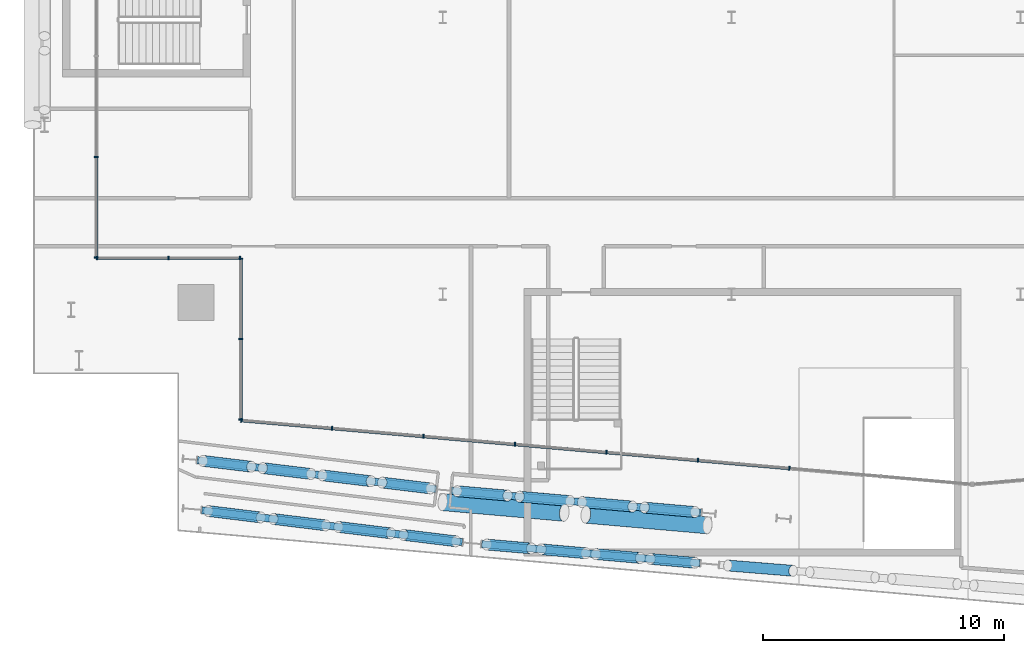
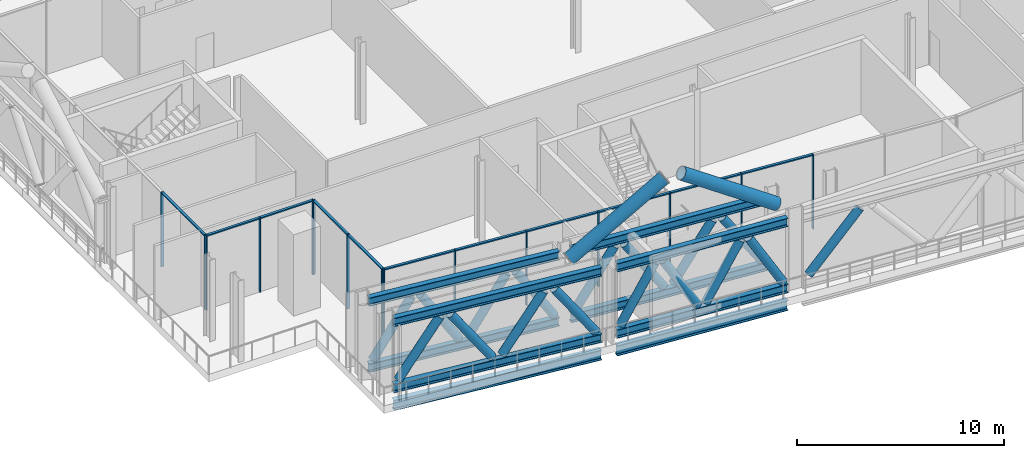
# One storey, part 5 of 42: 53 members, 2 beams, 4 elements without a shape of their own.
"""IFC4 building model written with IfcOpenShell, lengths in metres."""

from ifc_helpers import new_model, si_unit, direction, frame, origin, origin_2d, place, context, subcontext, project, spatial, rectangle, hollow_circle, i_section, extrude, material, material_profile, profile_set, type_object, element, aggregate, save


model = new_model("IFC4")

# Units and contexts
model_context = context("Model", 3, precision=1e-05, world=origin(), true_north=direction((0.0, 1.0)))
body_context = subcontext(model_context, "Body", "Model", "MODEL_VIEW")
ifc_project = project(units=[si_unit("LENGTHUNIT", "METRE"), si_unit("AREAUNIT", "SQUARE_METRE"), si_unit("VOLUMEUNIT", "CUBIC_METRE"), si_unit("PLANEANGLEUNIT", "RADIAN"), si_unit("MASSUNIT", "GRAM", prefix="KILO")], contexts=[model_context])

# Site, building, storey
site_placement = place(None, origin())
site = spatial("IfcSite", under=ifc_project, at=site_placement, CompositionType="ELEMENT")
building_placement = place(site_placement, origin())
building = spatial("IfcBuilding", under=site, at=building_placement, Name="Wharfspan Tower", CompositionType="ELEMENT")
storey_placement = place(building_placement, frame((0.0, 0.0, 147.100098)))
storey = spatial("IfcBuildingStorey", under=building, at=storey_placement, Name="L35", CompositionType="ELEMENT", Elevation=147.100098)

# Beams
ifc_material_1 = material(Name="Steel S355J2", Category="steel")
ifc_material_profile_1 = material_profile(ifc_material_1, i_section(OverallWidth=0.300049, OverallDepth=0.600098, WebThickness=0.015381, FlangeThickness=0.030029, FilletRadius=0.0271, at=origin_2d()))
ifc_profile_set_1 = profile_set([ifc_material_profile_1], Name="Steel S355J2")
beam_type = type_object("IfcBeamType", Name="Edge beam HEB 600", PredefinedType="SPANDREL", material=ifc_profile_set_1)
beam_1_placement = place(storey_placement, frame((13.990967, 2.520508, -0.75), z_axis=(0.992611, -0.121342, 0.0), x_axis=(0.121342, 0.992611, 0.0)))
element("IfcBeam", 1, at=beam_1_placement, inside=storey, type_object=beam_type, Name="Edge beam S1 L35 PS1.1 to PS1.2", PredefinedType="SPANDREL", context=body_context, shape_type="SweptSolid", body=[
    extrude(i_section(OverallWidth=0.300049, OverallDepth=0.600098, WebThickness=0.015381, FlangeThickness=0.030029, FilletRadius=0.0271, at=origin_2d()), origin(), (0.0, 0.0, 1.0), 10.903076),
])
beam_2_placement = place(storey_placement, frame((25.615234, 1.113525, -0.75), z_axis=(0.996195, -0.087151, 0.0), x_axis=(0.087151, 0.996195, 0.0)))
element("IfcBeam", 2, at=beam_2_placement, inside=storey, type_object=beam_type, Name="Edge beam S1 L35 PS1.2 to PS1.3", PredefinedType="SPANDREL", context=body_context, shape_type="SweptSolid", body=[
    extrude(i_section(OverallWidth=0.300049, OverallDepth=0.600098, WebThickness=0.015381, FlangeThickness=0.030029, FilletRadius=0.0271, at=origin_2d()), origin(), (0.0, 0.0, 1.0), 9.107178),
])

# Curtain wall, members
ifc_material_2 = material(Name="Aluminium 6063-T6", Category="aluminium")
curtain_wall_type = type_object("IfcCurtainWallType", Name="CURTAIN WALL BAND RECESS", PredefinedType="NOTDEFINED", material=ifc_material_2)
curtain_wall_1_placement = place(storey_placement, origin())
curtain_wall_1 = element("IfcCurtainWall", 3, at=curtain_wall_1_placement, inside=storey, type_object=curtain_wall_type, Name="Recess glazing R1", PredefinedType="NOTDEFINED")
ifc_material_profile_2 = material_profile(ifc_material_2, rectangle(XDim=0.159912, YDim=0.060059, at=origin_2d()))
ifc_profile_set_2 = profile_set([ifc_material_profile_2], Name="Aluminium 6063-T6")
member_type_1 = type_object("IfcMemberType", Name="MULLION BAND RECESS 60x160", PredefinedType="MULLION", material=ifc_profile_set_2)
member_1_placement = place(storey_placement, frame((15.570068, 13.0, 0.0), z_axis=(0.0, 0.0, 1.0), x_axis=(0.0, -1.0, 0.0)))
member_1 = element("IfcMember", 4, at=member_1_placement, type_object=member_type_1, Name="Recess glazing R1 mullion 1", PredefinedType="MULLION", context=body_context, shape_type="SweptSolid", body=[
    extrude(rectangle(XDim=0.159912, YDim=0.060059, at=origin_2d()), origin(), (0.0, 0.0, 1.0), 4.399902),
])
member_2_placement = place(storey_placement, frame((12.600098, 13.0, 0.0), z_axis=(0.0, 0.0, 1.0), x_axis=(0.0, -1.0, 0.0)))
member_2 = element("IfcMember", 5, at=member_2_placement, type_object=member_type_1, Name="Recess glazing R1 mullion 2", PredefinedType="MULLION", context=body_context, shape_type="SweptSolid", body=[
    extrude(rectangle(XDim=0.159912, YDim=0.060059, at=origin_2d()), origin(), (0.0, 0.0, 1.0), 4.399902),
])
member_3_placement = place(storey_placement, frame((9.629883, 13.0, 0.0), z_axis=(0.0, 0.0, 1.0), x_axis=(0.0, -1.0, 0.0)))
member_3 = element("IfcMember", 6, at=member_3_placement, type_object=member_type_1, Name="Recess glazing R1 mullion 3", PredefinedType="MULLION", context=body_context, shape_type="SweptSolid", body=[
    extrude(rectangle(XDim=0.159912, YDim=0.060059, at=origin_2d()), origin(), (0.0, 0.0, 1.0), 4.399902),
])

curtain_wall_2_placement = place(storey_placement, origin())
curtain_wall_2 = element("IfcCurtainWall", 7, at=curtain_wall_2_placement, inside=storey, type_object=curtain_wall_type, Name="Recess glazing R2", PredefinedType="NOTDEFINED")
member_4_placement = place(storey_placement, frame((9.600098, 13.030029, 0.0), z_axis=(0.0, 0.0, 1.0), x_axis=(-1.0, 0.0, 0.0)))
member_4 = element("IfcMember", 8, at=member_4_placement, type_object=member_type_1, Name="Recess glazing R2 mullion 1", PredefinedType="MULLION", context=body_context, shape_type="SweptSolid", body=[
    extrude(rectangle(XDim=0.159912, YDim=0.060059, at=origin_2d()), origin(), (0.0, 0.0, 1.0), 4.399902),
])
member_5_placement = place(storey_placement, frame((9.600098, 17.199951, 0.0), z_axis=(0.0, 0.0, 1.0), x_axis=(-1.0, 0.0, 0.0)))
member_5 = element("IfcMember", 9, at=member_5_placement, type_object=member_type_1, Name="Recess glazing R2 mullion 2", PredefinedType="MULLION", context=body_context, shape_type="SweptSolid", body=[
    extrude(rectangle(XDim=0.159912, YDim=0.060059, at=origin_2d()), origin(), (0.0, 0.0, 1.0), 4.399902),
])

curtain_wall_3_placement = place(storey_placement, origin())
curtain_wall_3 = element("IfcCurtainWall", 10, at=curtain_wall_3_placement, inside=storey, type_object=curtain_wall_type, Name="Recess glazing R7", PredefinedType="NOTDEFINED")
member_6_placement = place(storey_placement, frame((38.399902, 4.262695, 0.0), z_axis=(0.0, 0.0, 1.0), x_axis=(-0.087156, -0.996198, 0.0)))
member_6 = element("IfcMember", 11, at=member_6_placement, type_object=member_type_1, Name="Recess glazing R7 mullion 3", PredefinedType="MULLION", context=body_context, shape_type="SweptSolid", body=[
    extrude(rectangle(XDim=0.159912, YDim=0.060059, at=origin_2d()), origin(), (0.0, 0.0, 1.0), 4.399902),
])
member_7_placement = place(storey_placement, frame((34.600098, 4.595215, 0.0), z_axis=(0.0, 0.0, 1.0), x_axis=(-0.087156, -0.996198, 0.0)))
member_7 = element("IfcMember", 12, at=member_7_placement, type_object=member_type_1, Name="Recess glazing R7 mullion 4", PredefinedType="MULLION", context=body_context, shape_type="SweptSolid", body=[
    extrude(rectangle(XDim=0.159912, YDim=0.060059, at=origin_2d()), origin(), (0.0, 0.0, 1.0), 4.399902),
])
member_8_placement = place(storey_placement, frame((30.800049, 4.927734, 0.0), z_axis=(0.0, 0.0, 1.0), x_axis=(-0.087156, -0.996198, 0.0)))
member_8 = element("IfcMember", 13, at=member_8_placement, type_object=member_type_1, Name="Recess glazing R7 mullion 5", PredefinedType="MULLION", context=body_context, shape_type="SweptSolid", body=[
    extrude(rectangle(XDim=0.159912, YDim=0.060059, at=origin_2d()), origin(), (0.0, 0.0, 1.0), 4.399902),
])
member_9_placement = place(storey_placement, frame((27.0, 5.260254, 0.0), z_axis=(0.0, 0.0, 1.0), x_axis=(-0.087156, -0.996198, 0.0)))
member_9 = element("IfcMember", 14, at=member_9_placement, type_object=member_type_1, Name="Recess glazing R7 mullion 6", PredefinedType="MULLION", context=body_context, shape_type="SweptSolid", body=[
    extrude(rectangle(XDim=0.159912, YDim=0.060059, at=origin_2d()), origin(), (0.0, 0.0, 1.0), 4.399902),
])
member_10_placement = place(storey_placement, frame((23.199951, 5.592529, 0.0), z_axis=(0.0, 0.0, 1.0), x_axis=(-0.087156, -0.996198, 0.0)))
member_10 = element("IfcMember", 15, at=member_10_placement, type_object=member_type_1, Name="Recess glazing R7 mullion 7", PredefinedType="MULLION", context=body_context, shape_type="SweptSolid", body=[
    extrude(rectangle(XDim=0.159912, YDim=0.060059, at=origin_2d()), origin(), (0.0, 0.0, 1.0), 4.399902),
])
member_11_placement = place(storey_placement, frame((19.399902, 5.925049, 0.0), z_axis=(0.0, 0.0, 1.0), x_axis=(-0.087156, -0.996198, 0.0)))
member_11 = element("IfcMember", 16, at=member_11_placement, type_object=member_type_1, Name="Recess glazing R7 mullion 8", PredefinedType="MULLION", context=body_context, shape_type="SweptSolid", body=[
    extrude(rectangle(XDim=0.159912, YDim=0.060059, at=origin_2d()), origin(), (0.0, 0.0, 1.0), 4.399902),
])
member_12_placement = place(storey_placement, frame((15.629883, 6.254883, 0.0), z_axis=(0.0, 0.0, 1.0), x_axis=(-0.087156, -0.996198, 0.0)))
member_12 = element("IfcMember", 17, at=member_12_placement, type_object=member_type_1, Name="Recess glazing R7 mullion 9", PredefinedType="MULLION", context=body_context, shape_type="SweptSolid", body=[
    extrude(rectangle(XDim=0.159912, YDim=0.060059, at=origin_2d()), origin(), (0.0, 0.0, 1.0), 4.399902),
])

curtain_wall_4_placement = place(storey_placement, origin())
curtain_wall_4 = element("IfcCurtainWall", 18, at=curtain_wall_4_placement, inside=storey, type_object=curtain_wall_type, Name="Recess glazing R8", PredefinedType="NOTDEFINED")
member_13_placement = place(storey_placement, frame((15.600098, 6.287598, 0.0), z_axis=(0.0, 0.0, 1.0), x_axis=(-1.0, 0.0, 0.0)))
member_13 = element("IfcMember", 19, at=member_13_placement, type_object=member_type_1, Name="Recess glazing R8 mullion 1", PredefinedType="MULLION", context=body_context, shape_type="SweptSolid", body=[
    extrude(rectangle(XDim=0.159912, YDim=0.060059, at=origin_2d()), origin(), (0.0, 0.0, 1.0), 4.399902),
])
member_14_placement = place(storey_placement, frame((15.600098, 9.628662, 0.0), z_axis=(0.0, 0.0, 1.0), x_axis=(-1.0, 0.0, 0.0)))
member_14 = element("IfcMember", 20, at=member_14_placement, type_object=member_type_1, Name="Recess glazing R8 mullion 2", PredefinedType="MULLION", context=body_context, shape_type="SweptSolid", body=[
    extrude(rectangle(XDim=0.159912, YDim=0.060059, at=origin_2d()), origin(), (0.0, 0.0, 1.0), 4.399902),
])
member_15_placement = place(storey_placement, frame((15.600098, 12.969971, 0.0), z_axis=(0.0, 0.0, 1.0), x_axis=(-1.0, 0.0, 0.0)))
member_15 = element("IfcMember", 21, at=member_15_placement, type_object=member_type_1, Name="Recess glazing R8 mullion 3", PredefinedType="MULLION", context=body_context, shape_type="SweptSolid", body=[
    extrude(rectangle(XDim=0.159912, YDim=0.060059, at=origin_2d()), origin(), (0.0, 0.0, 1.0), 4.399902),
])

# Members
ifc_material_3 = material(Name="Steel S460NH", Category="steel")
ifc_material_profile_3 = material_profile(ifc_material_3, hollow_circle(Radius=0.355469, WallThickness=0.035889, at=origin_2d()))
ifc_profile_set_3 = profile_set([ifc_material_profile_3], Name="Steel S460NH")
member_type_2 = type_object("IfcMemberType", Name="Mega brace CHS 711x36", PredefinedType="BRACE", material=ifc_profile_set_3)
for number, where, z_axis, x_axis, name in (
    (22, (23.995117, 2.85791, 4.099854), (0.834469, -0.073006, 0.546197), (0.087156, 0.996198, -1e-06), "Mega brace S1 L36 part 1"),
    (23, (34.995117, 1.895508, 4.099854), (-0.834469, 0.073006, 0.546197), (-0.087156, -0.996198, -1e-06), "Mega brace S1 L36 part 3"),
):
    element("IfcMember", number, at=place(storey_placement, frame(where, z_axis=z_axis, x_axis=x_axis)), inside=storey, type_object=member_type_2, Name=name, PredefinedType="BRACE", context=body_context, shape_type="SweptSolid", body=[
        extrude(hollow_circle(Radius=0.355469, WallThickness=0.035889, at=origin_2d()), origin(), (0.0, 0.0, 1.0), 6.049561),
    ])

# Member
ifc_material_profile_4 = material_profile(ifc_material_2, rectangle(XDim=0.139893, YDim=0.070068, at=origin_2d()))
ifc_profile_set_4 = profile_set([ifc_material_profile_4], Name="Aluminium 6063-T6")
member_type_3 = type_object("IfcMemberType", Name="TRANSOM BAND RECESS 70x140", PredefinedType="USERDEFINED", material=ifc_profile_set_4)
member_16_placement = place(storey_placement, frame((15.540039, 13.0, 4.36499), z_axis=(-1.0, 0.0, 0.0), x_axis=(0.0, -1.0, 0.0)))
member_16 = element("IfcMember", 24, at=member_16_placement, type_object=member_type_3, Name="Recess glazing R1 transom 1", ObjectType="TRANSOM", PredefinedType="USERDEFINED", context=body_context, shape_type="SweptSolid", body=[
    extrude(rectangle(XDim=0.139893, YDim=0.070068, at=origin_2d()), origin(), (0.0, 0.0, 1.0), 2.910156),
])

member_17_placement = place(storey_placement, frame((12.570068, 13.0, 4.36499), z_axis=(-1.0, 0.0, 0.0), x_axis=(0.0, -1.0, 0.0)))
member_17 = element("IfcMember", 25, at=member_17_placement, type_object=member_type_3, Name="Recess glazing R1 transom 2", ObjectType="TRANSOM", PredefinedType="USERDEFINED", context=body_context, shape_type="SweptSolid", body=[
    extrude(rectangle(XDim=0.139893, YDim=0.070068, at=origin_2d()), origin(), (0.0, 0.0, 1.0), 2.910156),
])

aggregate(curtain_wall_1, [member_1, member_2, member_3, member_16, member_17])

member_18_placement = place(storey_placement, frame((9.600098, 13.060059, 4.36499), z_axis=(0.0, 1.0, 0.0), x_axis=(-1.0, 0.0, 0.0)))
member_18 = element("IfcMember", 26, at=member_18_placement, type_object=member_type_3, Name="Recess glazing R2 transom 1", ObjectType="TRANSOM", PredefinedType="USERDEFINED", context=body_context, shape_type="SweptSolid", body=[
    extrude(rectangle(XDim=0.139893, YDim=0.070068, at=origin_2d()), origin(), (0.0, 0.0, 1.0), 4.109863),
])

aggregate(curtain_wall_2, [member_4, member_5, member_18])

member_19_placement = place(storey_placement, frame((38.370117, 4.265381, 4.36499), z_axis=(-0.996197, 0.087135, 0.0), x_axis=(-0.087135, -0.996197, 0.0)))
member_19 = element("IfcMember", 27, at=member_19_placement, type_object=member_type_3, Name="Recess glazing R7 transom 3", ObjectType="TRANSOM", PredefinedType="USERDEFINED", context=body_context, shape_type="SweptSolid", body=[
    extrude(rectangle(XDim=0.139893, YDim=0.070068, at=origin_2d()), origin(), (0.0, 0.0, 1.0), 3.754395),
])

member_20_placement = place(storey_placement, frame((34.570068, 4.5979, 4.36499), z_axis=(-0.996197, 0.087135, 0.0), x_axis=(-0.087135, -0.996197, 0.0)))
member_20 = element("IfcMember", 28, at=member_20_placement, type_object=member_type_3, Name="Recess glazing R7 transom 4", ObjectType="TRANSOM", PredefinedType="USERDEFINED", context=body_context, shape_type="SweptSolid", body=[
    extrude(rectangle(XDim=0.139893, YDim=0.070068, at=origin_2d()), origin(), (0.0, 0.0, 1.0), 3.754395),
])

member_21_placement = place(storey_placement, frame((30.77002, 4.93042, 4.36499), z_axis=(-0.996197, 0.087135, 0.0), x_axis=(-0.087135, -0.996197, 0.0)))
member_21 = element("IfcMember", 29, at=member_21_placement, type_object=member_type_3, Name="Recess glazing R7 transom 5", ObjectType="TRANSOM", PredefinedType="USERDEFINED", context=body_context, shape_type="SweptSolid", body=[
    extrude(rectangle(XDim=0.139893, YDim=0.070068, at=origin_2d()), origin(), (0.0, 0.0, 1.0), 3.754395),
])

member_22_placement = place(storey_placement, frame((26.970215, 5.262695, 4.36499), z_axis=(-0.996191, 0.087199, 0.0), x_axis=(-0.087199, -0.996191, 0.0)))
member_22 = element("IfcMember", 30, at=member_22_placement, type_object=member_type_3, Name="Recess glazing R7 transom 6", ObjectType="TRANSOM", PredefinedType="USERDEFINED", context=body_context, shape_type="SweptSolid", body=[
    extrude(rectangle(XDim=0.139893, YDim=0.070068, at=origin_2d()), origin(), (0.0, 0.0, 1.0), 3.754639),
])

member_23_placement = place(storey_placement, frame((23.170166, 5.595215, 4.36499), z_axis=(-0.996197, 0.087135, 0.0), x_axis=(-0.087135, -0.996197, 0.0)))
member_23 = element("IfcMember", 31, at=member_23_placement, type_object=member_type_3, Name="Recess glazing R7 transom 7", ObjectType="TRANSOM", PredefinedType="USERDEFINED", context=body_context, shape_type="SweptSolid", body=[
    extrude(rectangle(XDim=0.139893, YDim=0.070068, at=origin_2d()), origin(), (0.0, 0.0, 1.0), 3.754395),
])

member_24_placement = place(storey_placement, frame((19.370117, 5.927734, 4.36499), z_axis=(-0.996198, 0.087113, 0.0), x_axis=(-0.087113, -0.996198, 0.0)))
member_24 = element("IfcMember", 32, at=member_24_placement, type_object=member_type_3, Name="Recess glazing R7 transom 8", ObjectType="TRANSOM", PredefinedType="USERDEFINED", context=body_context, shape_type="SweptSolid", body=[
    extrude(rectangle(XDim=0.139893, YDim=0.070068, at=origin_2d()), origin(), (0.0, 0.0, 1.0), 3.724609),
])

aggregate(curtain_wall_3, [member_6, member_7, member_8, member_9, member_10, member_11, member_12, member_19, member_20, member_21, member_22, member_23, member_24])

member_25_placement = place(storey_placement, frame((15.600098, 6.317627, 4.36499), z_axis=(0.0, 1.0, 0.0), x_axis=(-1.0, 0.0, 0.0)))
member_25 = element("IfcMember", 33, at=member_25_placement, type_object=member_type_3, Name="Recess glazing R8 transom 1", ObjectType="TRANSOM", PredefinedType="USERDEFINED", context=body_context, shape_type="SweptSolid", body=[
    extrude(rectangle(XDim=0.139893, YDim=0.070068, at=origin_2d()), origin(), (0.0, 0.0, 1.0), 3.28125),
])

member_26_placement = place(storey_placement, frame((15.600098, 9.658691, 4.36499), z_axis=(0.0, 1.0, 0.0), x_axis=(-1.0, 0.0, 0.0)))
member_26 = element("IfcMember", 34, at=member_26_placement, type_object=member_type_3, Name="Recess glazing R8 transom 2", ObjectType="TRANSOM", PredefinedType="USERDEFINED", context=body_context, shape_type="SweptSolid", body=[
    extrude(rectangle(XDim=0.139893, YDim=0.070068, at=origin_2d()), origin(), (0.0, 0.0, 1.0), 3.28125),
])

aggregate(curtain_wall_4, [member_13, member_14, member_15, member_25, member_26])

# Members
ifc_material_profile_5 = material_profile(ifc_material_1, i_section(OverallWidth=0.300049, OverallDepth=0.5, WebThickness=0.014404, FlangeThickness=0.028076, FilletRadius=0.0271, at=origin_2d()))
ifc_profile_set_5 = profile_set([ifc_material_profile_5], Name="Steel S355J2")
member_type_4 = type_object("IfcMemberType", Name="Truss chord HEB 500", PredefinedType="CHORD", material=ifc_profile_set_5)
for number, where, z_axis, x_axis, name in (
    (35, (13.798584, 4.600098, 4.149902), (0.992758, -0.12013, 0.0), (0.12013, 0.992758, 0.0), "Belt truss chord T L35 S1 PS1.1 to PS1.2"),
    (36, (13.798584, 4.600098, 0.25), (0.992758, -0.12013, 0.0), (0.12013, 0.992758, 0.0), "Belt truss chord B L35 S1 PS1.1 to PS1.2"),
):
    element("IfcMember", number, at=place(storey_placement, frame(where, z_axis=z_axis, x_axis=x_axis)), inside=storey, type_object=member_type_4, Name=name, PredefinedType="CHORD", context=body_context, shape_type="SweptSolid", body=[
        extrude(i_section(OverallWidth=0.300049, OverallDepth=0.5, WebThickness=0.014404, FlangeThickness=0.028076, FilletRadius=0.0271, at=origin_2d()), origin(), (0.0, 0.0, 1.0), 10.005127),
    ])
for number, where, z_axis, x_axis, name in (
    (37, (24.348145, 3.333984, 4.149902), (0.996194, -0.087166, 0.0), (0.087166, 0.996194, 0.0), "Belt truss chord T L35 S1 PS1.2 to PS1.3"),
    (38, (24.348145, 3.333984, 0.25), (0.996194, -0.087166, 0.0), (0.087166, 0.996194, 0.0), "Belt truss chord B L35 S1 PS1.2 to PS1.3"),
):
    element("IfcMember", number, at=place(storey_placement, frame(where, z_axis=z_axis, x_axis=x_axis)), inside=storey, type_object=member_type_4, Name=name, PredefinedType="CHORD", context=body_context, shape_type="SweptSolid", body=[
        extrude(i_section(OverallWidth=0.300049, OverallDepth=0.5, WebThickness=0.014404, FlangeThickness=0.028076, FilletRadius=0.0271, at=origin_2d()), origin(), (0.0, 0.0, 1.0), 10.421875),
    ])
for number, where, z_axis, x_axis, name in (
    (39, (13.994873, 2.52002, 4.149902), (0.992611, -0.12134, 0.0), (0.12134, 0.992611, 0.0), "Belt truss chord T L35 S1 PS1.1.S to PS1.2.S"),
    (40, (13.994873, 2.52002, 0.25), (0.992611, -0.12134, 0.0), (0.12134, 0.992611, 0.0), "Belt truss chord B L35 S1 PS1.1.S to PS1.2.S"),
):
    element("IfcMember", number, at=place(storey_placement, frame(where, z_axis=z_axis, x_axis=x_axis)), inside=storey, type_object=member_type_4, Name=name, PredefinedType="CHORD", context=body_context, shape_type="SweptSolid", body=[
        extrude(i_section(OverallWidth=0.300049, OverallDepth=0.5, WebThickness=0.014404, FlangeThickness=0.028076, FilletRadius=0.0271, at=origin_2d()), origin(), (0.0, 0.0, 1.0), 10.895264),
    ])
for number, where, z_axis, x_axis, name in (
    (41, (25.619141, 1.113037, 4.149902), (0.996195, -0.087148, 0.0), (0.087148, 0.996195, 0.0), "Belt truss chord T L35 S1 PS1.2.S to PS1.3.S"),
    (42, (25.619141, 1.113037, 0.25), (0.996195, -0.087148, 0.0), (0.087148, 0.996195, 0.0), "Belt truss chord B L35 S1 PS1.2.S to PS1.3.S"),
):
    element("IfcMember", number, at=place(storey_placement, frame(where, z_axis=z_axis, x_axis=x_axis)), inside=storey, type_object=member_type_4, Name=name, PredefinedType="CHORD", context=body_context, shape_type="SweptSolid", body=[
        extrude(i_section(OverallWidth=0.300049, OverallDepth=0.5, WebThickness=0.014404, FlangeThickness=0.028076, FilletRadius=0.0271, at=origin_2d()), origin(), (0.0, 0.0, 1.0), 9.099121),
    ])
ifc_material_profile_6 = material_profile(ifc_material_3, hollow_circle(Radius=0.228516, WallThickness=0.016113, at=origin_2d()))
ifc_profile_set_6 = profile_set([ifc_material_profile_6], Name="Steel S460NH")
member_type_5 = type_object("IfcMemberType", Name="Truss diagonal CHS 457x16", PredefinedType="BRACE", material=ifc_profile_set_6)
for number, where, z_axis, x_axis, name in (
    (43, (14.036377, 4.571289, 0.623291), (0.535965, -0.064845, 0.841746), (0.120113, 0.99276, -1e-06), "Belt truss diagonal L35 S1 PS1.1 to PS1.2 1"),
    (44, (16.519531, 4.270996, 3.776611), (0.535963, -0.06491, -0.841743), (0.120226, 0.992747, -3e-06), "Belt truss diagonal L35 S1 PS1.1 to PS1.2 2"),
    (45, (19.002686, 3.970459, 0.623291), (0.535965, -0.064845, 0.841746), (0.120113, 0.99276, -1e-06), "Belt truss diagonal L35 S1 PS1.1 to PS1.2 3"),
    (46, (21.48584, 3.669922, 3.776611), (0.535965, -0.064845, -0.841746), (0.120113, 0.99276, 1e-06), "Belt truss diagonal L35 S1 PS1.1 to PS1.2 4"),
):
    element("IfcMember", number, at=place(storey_placement, frame(where, z_axis=z_axis, x_axis=x_axis)), inside=storey, type_object=member_type_5, Name=name, PredefinedType="BRACE", context=body_context, shape_type="SweptSolid", body=[
        extrude(hollow_circle(Radius=0.228516, WallThickness=0.016113, at=origin_2d()), origin(), (0.0, 0.0, 1.0), 3.746094),
    ])
member_27_placement = place(storey_placement, frame((24.598877, 3.312012, 0.626953), z_axis=(0.55344, -0.048395, 0.831482), x_axis=(0.087107, 0.996198, 3e-06)))
element("IfcMember", 47, at=member_27_placement, inside=storey, type_object=member_type_5, Name="Belt truss diagonal L35 S1 PS1.2 to PS1.3 1", PredefinedType="BRACE", context=body_context, shape_type="SweptSolid", body=[
    extrude(hollow_circle(Radius=0.228516, WallThickness=0.016113, at=origin_2d()), origin(), (0.0, 0.0, 1.0), 3.783691),
])
member_28_placement = place(storey_placement, frame((27.19458, 3.084961, 3.772949), z_axis=(0.553395, -0.048396, -0.831512), x_axis=(0.087122, 0.996199, 1e-06)))
element("IfcMember", 48, at=member_28_placement, inside=storey, type_object=member_type_5, Name="Belt truss diagonal L35 S1 PS1.2 to PS1.3 2", PredefinedType="BRACE", context=body_context, shape_type="SweptSolid", body=[
    extrude(hollow_circle(Radius=0.228516, WallThickness=0.016113, at=origin_2d()), origin(), (0.0, 0.0, 1.0), 3.783447),
])
member_29_placement = place(storey_placement, frame((29.790039, 2.85791, 0.626953), z_axis=(0.553438, -0.048459, 0.83148), x_axis=(0.087229, 0.996186, -2e-06)))
element("IfcMember", 49, at=member_29_placement, inside=storey, type_object=member_type_5, Name="Belt truss diagonal L35 S1 PS1.2 to PS1.3 3", PredefinedType="BRACE", context=body_context, shape_type="SweptSolid", body=[
    extrude(hollow_circle(Radius=0.228516, WallThickness=0.016113, at=origin_2d()), origin(), (0.0, 0.0, 1.0), 3.783691),
])
member_30_placement = place(storey_placement, frame((32.385742, 2.630859, 3.772949), z_axis=(0.553393, -0.048461, -0.831509), x_axis=(0.087232, 0.996184, -3e-06)))
element("IfcMember", 50, at=member_30_placement, inside=storey, type_object=member_type_5, Name="Belt truss diagonal L35 S1 PS1.2 to PS1.3 4", PredefinedType="BRACE", context=body_context, shape_type="SweptSolid", body=[
    extrude(hollow_circle(Radius=0.228516, WallThickness=0.016113, at=origin_2d()), origin(), (0.0, 0.0, 1.0), 3.783447),
])
for number, where, z_axis, x_axis, name in (
    (51, (14.259033, 2.487549, 0.630859), (0.568356, -0.069458, 0.819846), (0.121309, 0.992615, -2e-06), "Belt truss diagonal L35 S1 PS1.1.S to PS1.2.S 1"),
    (52, (16.962646, 2.157227, 3.769043), (0.568353, -0.069521, -0.819842), (0.12142, 0.992606, 3e-06), "Belt truss diagonal L35 S1 PS1.1.S to PS1.2.S 2"),
    (53, (19.66626, 1.82666, 0.630859), (0.568356, -0.069458, 0.819846), (0.121309, 0.992615, -2e-06), "Belt truss diagonal L35 S1 PS1.1.S to PS1.2.S 3"),
    (54, (22.369873, 1.496094, 3.769043), (0.568356, -0.069458, -0.819846), (0.121309, 0.992615, 2e-06), "Belt truss diagonal L35 S1 PS1.1.S to PS1.2.S 4"),
):
    element("IfcMember", number, at=place(storey_placement, frame(where, z_axis=z_axis, x_axis=x_axis)), inside=storey, type_object=member_type_5, Name=name, PredefinedType="BRACE", context=body_context, shape_type="SweptSolid", body=[
        extrude(hollow_circle(Radius=0.228516, WallThickness=0.016113, at=origin_2d()), origin(), (0.0, 0.0, 1.0), 3.827881),
    ])
for number, where, z_axis, x_axis, name in (
    (55, (25.831299, 1.094482, 0.61499), (0.501924, -0.043912, 0.863796), (0.087153, 0.996198, 1e-06), "Belt truss diagonal L35 S1 PS1.2.S to PS1.3.S 1"),
    (56, (28.097412, 0.89624, 3.784668), (0.501924, -0.043912, -0.863796), (0.087153, 0.996198, -1e-06), "Belt truss diagonal L35 S1 PS1.2.S to PS1.3.S 2"),
    (57, (30.363525, 0.697998, 0.61499), (0.501924, -0.043912, 0.863796), (0.087153, 0.996198, 1e-06), "Belt truss diagonal L35 S1 PS1.2.S to PS1.3.S 3"),
    (58, (32.629639, 0.499756, 3.784668), (0.501924, -0.043912, -0.863796), (0.087153, 0.996198, -1e-06), "Belt truss diagonal L35 S1 PS1.2.S to PS1.3.S 4"),
):
    element("IfcMember", number, at=place(storey_placement, frame(where, z_axis=z_axis, x_axis=x_axis)), inside=storey, type_object=member_type_5, Name=name, PredefinedType="BRACE", context=body_context, shape_type="SweptSolid", body=[
        extrude(hollow_circle(Radius=0.228516, WallThickness=0.016113, at=origin_2d()), origin(), (0.0, 0.0, 1.0), 3.669434),
    ])
member_31_placement = place(storey_placement, frame((35.844971, 0.223633, 0.650635), z_axis=(0.657056, -0.053086, 0.75197), x_axis=(0.08053, 0.99675, 1e-06)))
element("IfcMember", 59, at=member_31_placement, inside=storey, type_object=member_type_5, Name="Belt truss diagonal L35 S1 PS1.3.S to PS1.4.S 1", PredefinedType="BRACE", context=body_context, shape_type="SweptSolid", body=[
    extrude(hollow_circle(Radius=0.228516, WallThickness=0.016113, at=origin_2d()), origin(), (0.0, 0.0, 1.0), 4.120605),
])

save(model, "model.ifc")
